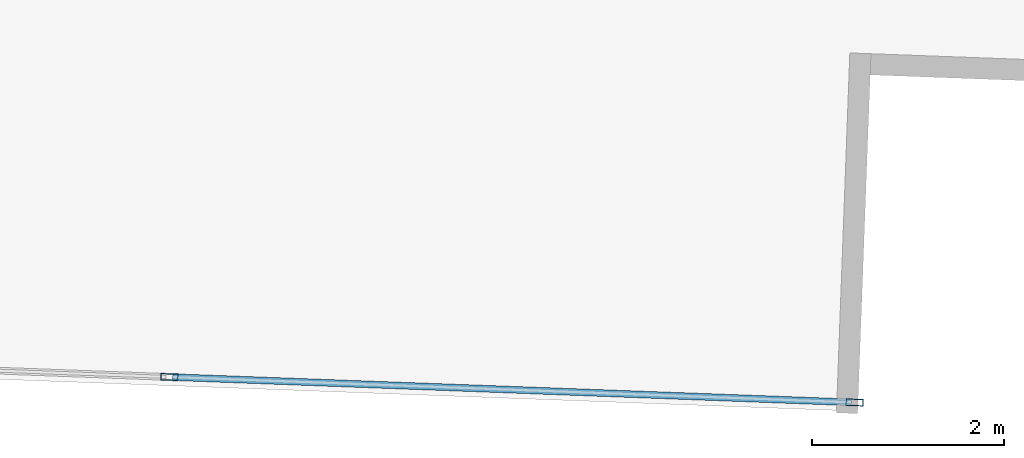
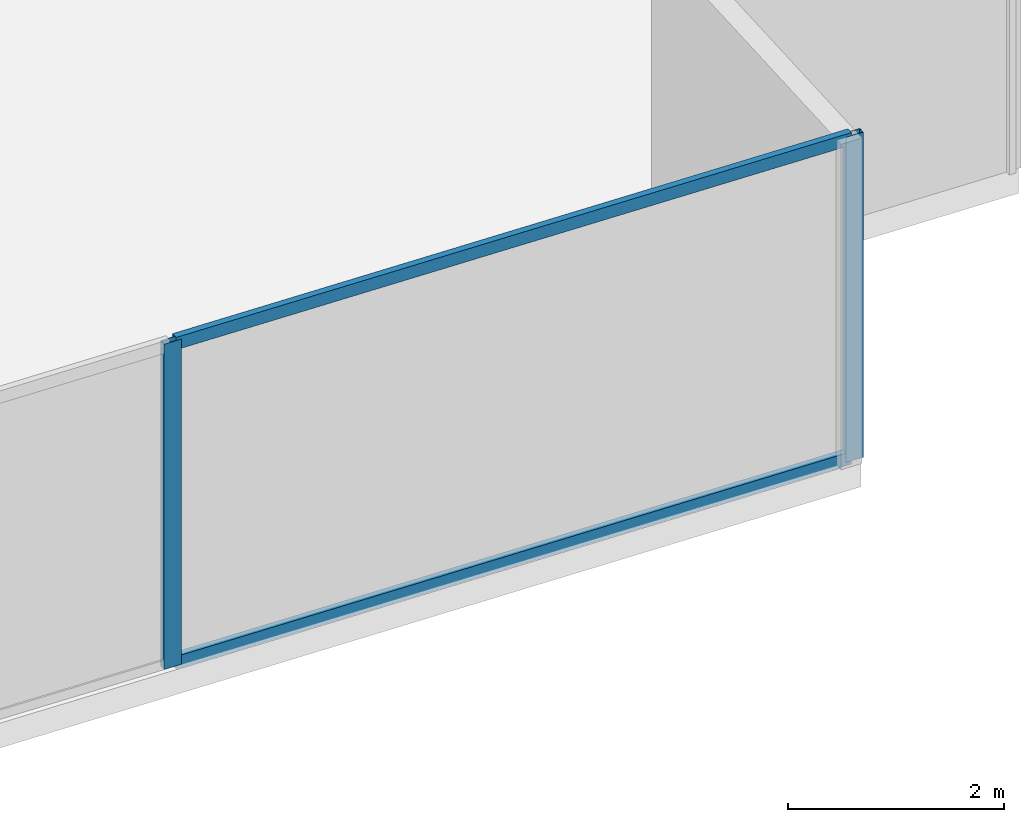
# One storey, part 12 of 30: 4 members, 1 element without a shape of its own.
"""IFC4 building model written with IfcOpenShell, lengths in metres."""

import ifcopenshell
import ifcopenshell.guid

model = None  # the IFC model being written
_history = None  # IfcOwnerHistory: only IFC2X3 demands one
_inside = {}  # id of a spatial element -> (the spatial element, [elements in it])
_under = {}  # id of a project, library or spatial element -> (it, [spatial elements below it])
_declared = {}  # id of a project -> (the project, [libraries it declares])
_typed = {}  # id of a type object -> (the type object, [elements of that type])
_made_of = {}  # id of a material, layer set ... -> (it, [elements and type objects made of it])


def new_model(schema):
    """Start an empty IFC model of exactly this schema.

    Asked for "IFC4X3", IfcOpenShell would pick the latest addendum, in which some entities
    have other attributes; the version numbers below select the first issue.
    IFC2X3 requires an IfcOwnerHistory on every rooted entity: one is made here for all.
    """
    global model, _history
    if schema == "IFC4X3":
        model = ifcopenshell.file(schema_version=(4, 3, 0, 0))
    else:
        model = ifcopenshell.file(schema=schema)
    _inside.clear()
    _under.clear()
    _declared.clear()
    _typed.clear()
    _made_of.clear()
    _history = None
    if model.schema == "IFC2X3":
        org = make("IfcOrganization", Name="unknown")
        user = make(
            "IfcPersonAndOrganization",
            ThePerson=make("IfcPerson", FamilyName="unknown"),
            TheOrganization=org,
        )
        app = make(
            "IfcApplication",
            ApplicationDeveloper=org,
            Version="unknown",
            ApplicationFullName="unknown",
            ApplicationIdentifier="unknown",
        )
        _history = make(
            "IfcOwnerHistory",
            OwningUser=user,
            OwningApplication=app,
            ChangeAction="ADDED",
            CreationDate=0,
        )
    return model


def make(cls, **values):
    """One entity of the class cls with the attributes given. An attribute that is None is left unset."""
    return model.create_entity(
        cls, **{name: value for name, value in values.items() if value is not None}
    )


def rooted(cls, **values):
    """An entity with a GlobalId (a new one), such as an element, a storey or a relation."""
    return make(cls, GlobalId=ifcopenshell.guid.new(), OwnerHistory=_history, **values)


def si_unit(unit_type, name, prefix=None):
    """IfcSIUnit, for example si_unit("LENGTHUNIT", "METRE", prefix="MILLI")."""
    return make("IfcSIUnit", UnitType=unit_type, Prefix=prefix, Name=name)


def assignment(units):
    """IfcUnitAssignment: the units of a project."""
    return None if units is None else make("IfcUnitAssignment", Units=units)


def point(xyz):
    """IfcCartesianPoint."""
    return None if xyz is None else make("IfcCartesianPoint", Coordinates=xyz)


def direction(xyz):
    """IfcDirection."""
    return None if xyz is None else make("IfcDirection", DirectionRatios=xyz)


def frame(location, z_axis=None, x_axis=None):
    """IfcAxis2Placement3D, a coordinate frame: its origin and axes. An axis left out is left unset."""
    return make(
        "IfcAxis2Placement3D",
        Location=point(location),
        Axis=direction(z_axis),
        RefDirection=direction(x_axis),
    )


def frame_2d(location, x_axis=None):
    """IfcAxis2Placement2D, a coordinate frame in the plane: its origin and x axis."""
    return make(
        "IfcAxis2Placement2D", Location=point(location), RefDirection=direction(x_axis)
    )


def origin():
    """The frame at (0, 0, 0) with its axes left unset."""
    return frame((0.0, 0.0, 0.0))


def origin_2d():
    """The frame at (0, 0) in the plane with its x axis left unset."""
    return frame_2d((0.0, 0.0))


def place(relative_to, where):
    """IfcLocalPlacement: puts the frame where relative to a parent placement (None: the world)."""
    return make(
        "IfcLocalPlacement", PlacementRelTo=relative_to, RelativePlacement=where
    )


def context(
    kind, dimensions, precision=None, world=None, true_north=None, identifier=None
):
    """IfcGeometricRepresentationContext, for example the 3D "Model" context."""
    return make(
        "IfcGeometricRepresentationContext",
        ContextIdentifier=identifier,
        ContextType=kind,
        CoordinateSpaceDimension=dimensions,
        Precision=precision,
        WorldCoordinateSystem=world,
        TrueNorth=true_north,
    )


def subcontext(parent, identifier, kind, view, scale=None):
    """IfcGeometricRepresentationSubContext, for example "Body" below "Model"."""
    return make(
        "IfcGeometricRepresentationSubContext",
        ContextIdentifier=identifier,
        ContextType=kind,
        ParentContext=parent,
        TargetScale=scale,
        TargetView=view,
    )


def project(units=None, contexts=None):
    """IfcProject with its units and contexts."""
    return rooted(
        "IfcProject",
        Name="project",
        RepresentationContexts=contexts,
        UnitsInContext=assignment(units),
    )


def spatial(cls, under=None, at=None, **own):
    """A site, building, storey or space (cls), placed at a placement, below another one or the project."""
    s = rooted(cls, ObjectPlacement=at, **own)
    if under is not None:
        _under.setdefault(under.id(), (under, []))[1].append(s)
    return s


def profile(cls, at=None, kind="AREA", **sizes):
    """A parametric profile (cls). Its sizes go by their IFC names, for example OverallWidth=200.0."""
    return make(cls, ProfileType=kind, Position=at, **sizes)


def hollow_rectangle(**sizes):
    """IfcRectangleHollowProfileDef."""
    return profile("IfcRectangleHollowProfileDef", **sizes)


def extrude(swept, where, along, depth):
    """IfcExtrudedAreaSolid: the profile swept, set in the frame where, extruded along a direction by depth."""
    return make(
        "IfcExtrudedAreaSolid",
        SweptArea=swept,
        Position=where,
        ExtrudedDirection=direction(along),
        Depth=depth,
    )


def shape(context_of_items, identifier, shape_type, items):
    """IfcShapeRepresentation: the items that make up one representation, for example the "Body"."""
    return make(
        "IfcShapeRepresentation",
        ContextOfItems=context_of_items,
        RepresentationIdentifier=identifier,
        RepresentationType=shape_type,
        Items=items,
    )


def source(mapping_origin, context_of_items, identifier, shape_type, items):
    """IfcRepresentationMap: a shape defined once, which mapped items show again and again."""
    return make(
        "IfcRepresentationMap",
        MappingOrigin=mapping_origin,
        MappedRepresentation=shape(context_of_items, identifier, shape_type, items),
    )


def transform(
    local_origin,
    x_axis=None,
    y_axis=None,
    z_axis=None,
    scale=None,
    scale2=None,
    scale3=None,
    uniform=True,
):
    """IfcCartesianTransformationOperator3D, or its non-uniform kind. x_axis, y_axis, z_axis: its Axis1, 2, 3."""
    if uniform:
        return make(
            "IfcCartesianTransformationOperator3D",
            Axis1=direction(x_axis),
            Axis2=direction(y_axis),
            LocalOrigin=point(local_origin),
            Scale=scale,
            Axis3=direction(z_axis),
        )
    return make(
        "IfcCartesianTransformationOperator3DnonUniform",
        Axis1=direction(x_axis),
        Axis2=direction(y_axis),
        LocalOrigin=point(local_origin),
        Scale=scale,
        Axis3=direction(z_axis),
        Scale2=scale2,
        Scale3=scale3,
    )


def mapped(mapping_source, mapping_target):
    """IfcMappedItem: shows the shape of a source again, moved by a transform."""
    return make(
        "IfcMappedItem", MappingSource=mapping_source, MappingTarget=mapping_target
    )


def material(Name=None, Category=None):
    """IfcMaterial."""
    return make("IfcMaterial", Name=Name, Category=Category)


def material_profile(
    of_material, cross_section, Name=None, Category=None, Priority=None
):
    """IfcMaterialProfile: a cross section and its material."""
    return make(
        "IfcMaterialProfile",
        Name=Name,
        Material=of_material,
        Profile=cross_section,
        Priority=Priority,
        Category=Category,
    )


def profile_set(profiles, Name=None, composite=None):
    """IfcMaterialProfileSet."""
    return make(
        "IfcMaterialProfileSet",
        Name=Name,
        MaterialProfiles=profiles,
        CompositeProfile=composite,
    )


def made_of(thing, what):
    """Note that an element or type object is made of a material, layer set ...; save() writes the relation."""
    if what is not None:
        _made_of.setdefault(what.id(), (what, []))[1].append(thing)
    return thing


def type_object(cls, material=None, **own):
    """A type object (cls), such as IfcWallType, which elements share."""
    return made_of(rooted(cls, **own), material)


def type_shapes(of_type, sources):
    """Give a type object the sources (RepresentationMaps) that its elements show as mapped items."""
    of_type.RepresentationMaps = sources


def element(
    cls,
    number,
    at=None,
    inside=None,
    cuts=None,
    type_object=None,
    material=None,
    context=None,
    identifier="Body",
    shape_type=None,
    held_by="IfcProductDefinitionShape",
    body=None,
    shapes=None,
    **own,
):
    """One element of the class cls, such as IfcWall. Its Tag is "e" and its number.

    at: its placement. inside: the storey or other place that contains it. cuts: it is an
    opening in that element (IfcRelVoidsElement). A single representation is given by context,
    identifier, shape_type and body (its items); several are given by shapes. held_by: the class
    of the entity that holds the representations. save() writes the other relations.
    """
    e = rooted(cls, Tag="e%d" % number, ObjectPlacement=at, **own)
    if body is not None:
        shapes = [shape(context, identifier, shape_type, body)]
    if shapes is not None:
        e.Representation = make(held_by, Representations=shapes)
    if inside is not None:
        _inside.setdefault(inside.id(), (inside, []))[1].append(e)
    if cuts is not None:
        rooted(
            "IfcRelVoidsElement", RelatingBuildingElement=cuts, RelatedOpeningElement=e
        )
    if type_object is not None:
        _typed.setdefault(type_object.id(), (type_object, []))[1].append(e)
    return made_of(e, material)


def aggregate(whole, parts):
    """IfcRelAggregates: a whole, such as a stair, and the parts it consists of."""
    return rooted("IfcRelAggregates", RelatingObject=whole, RelatedObjects=parts)


def save(model, path):
    """Write the relations noted so far, then the file.

    IfcRelAggregates (storeys below a building ...), IfcRelContainedInSpatialStructure (elements
    in a storey), IfcRelDefinesByType, IfcRelAssociatesMaterial and IfcRelDeclares: one each for
    every whole, place, type object, material and project.
    """
    for whole, parts in _under.values():
        aggregate(whole, parts)
    for where, things in _inside.values():
        rooted(
            "IfcRelContainedInSpatialStructure",
            RelatedElements=things,
            RelatingStructure=where,
        )
    for kind, things in _typed.values():
        rooted("IfcRelDefinesByType", RelatedObjects=things, RelatingType=kind)
    for what, things in _made_of.values():
        rooted("IfcRelAssociatesMaterial", RelatedObjects=things, RelatingMaterial=what)
    for by, libraries in _declared.values():
        rooted("IfcRelDeclares", RelatingContext=by, RelatedDefinitions=libraries)
    model.write(path)


model = new_model("IFC4")

# Units and contexts
model_context = context("Model", 3, precision=1e-05, world=origin(), true_north=direction((0.0, 1.0)))
body_context = subcontext(model_context, "Body", "Model", "MODEL_VIEW")
ifc_project = project(units=[si_unit("LENGTHUNIT", "METRE"), si_unit("AREAUNIT", "SQUARE_METRE"), si_unit("VOLUMEUNIT", "CUBIC_METRE"), si_unit("PLANEANGLEUNIT", "RADIAN"), si_unit("MASSUNIT", "GRAM", prefix="KILO")], contexts=[model_context])

# Site, building, storey
site_placement = place(None, origin())
site = spatial("IfcSite", under=ifc_project, at=site_placement, CompositionType="ELEMENT")
building_placement = place(site_placement, origin())
building = spatial("IfcBuilding", under=site, at=building_placement, Name="Krantzveldt Concourse Tower", CompositionType="ELEMENT")
storey_placement = place(building_placement, frame((0.0, 0.0, 36.85009765625)))
storey = spatial("IfcBuildingStorey", under=building, at=storey_placement, Name="L08", CompositionType="ELEMENT", Elevation=36.85009765625)

# Curtain wall, members
ifc_material = material(Name="Anodised aluminium 6063-T6", Category="aluminium")
curtain_wall_type = type_object("IfcCurtainWallType", Name="CW2", PredefinedType="USERDEFINED", material=ifc_material)
curtain_wall_placement = place(storey_placement, origin())
curtain_wall = element("IfcCurtainWall", 1, at=curtain_wall_placement, inside=storey, type_object=curtain_wall_type, Name="CW-L08-F04", ObjectType="UNITISED CURTAIN WALL", PredefinedType="USERDEFINED")
ifc_material_profile_1 = material_profile(ifc_material, hollow_rectangle(XDim=0.070068359375, YDim=0.179931640625, WallThickness=0.0048828125, at=origin_2d()), Name="Anodised aluminium 6063-T6", Category="aluminium")
ifc_profile_set_1 = profile_set([ifc_material_profile_1], Name="Anodised aluminium 6063-T6 - ALU-MULL 180x70x5")
member_type_1 = type_object("IfcMemberType", Name="CW-MUL-180", PredefinedType="MULLION", material=ifc_profile_set_1)
shared_shape_1 = source(origin(), body_context, "Body", "SweptSolid", [
    extrude(hollow_rectangle(XDim=0.070068359375, YDim=0.179931640625, WallThickness=0.0048828125, at=origin_2d()), origin(), (0.0, 0.0, 1.0), 3.669921875),
])
type_shapes(member_type_1, [shared_shape_1])
member_1_placement = place(storey_placement, frame((49.39990234375, 1.275634765625, 0.0), z_axis=(0.0, 0.0, 1.0), x_axis=(0.037079766834, 0.999312308986, 0.0)))
member_1 = element("IfcMember", 2, at=member_1_placement, type_object=member_type_1, Name="CW-Z12 mullion 6", PredefinedType="MULLION", context=body_context, shape_type="MappedRepresentation", body=[
    mapped(shared_shape_1, transform((0.0, 0.0, 0.0), x_axis=(1.0, 0.0, 0.0), y_axis=(0.0, 1.0, 0.0), z_axis=(0.0, 0.0, 1.0), scale=1.0)),
])
member_2_placement = place(storey_placement, frame((56.526611328125, 1.01123046875, 0.0), z_axis=(0.0, 0.0, 1.0), x_axis=(0.037079766834, 0.999312308986, 0.0)))
member_2 = element("IfcMember", 3, at=member_2_placement, type_object=member_type_1, Name="CW-Z12 mullion 7", PredefinedType="MULLION", context=body_context, shape_type="MappedRepresentation", body=[
    mapped(shared_shape_1, transform((0.0, 0.0, 0.0), x_axis=(1.0, 0.0, 0.0), y_axis=(0.0, 1.0, 0.0), z_axis=(0.0, 0.0, 1.0), scale=1.0)),
])
ifc_material_profile_2 = material_profile(ifc_material, hollow_rectangle(XDim=0.070068359375, YDim=0.139892578125, WallThickness=0.0048828125, at=origin_2d()), Name="Anodised aluminium 6063-T6", Category="aluminium")
ifc_profile_set_2 = profile_set([ifc_material_profile_2], Name="Anodised aluminium 6063-T6 - ALU-TRAN 140x70x5")
member_type_2 = type_object("IfcMemberType", Name="CW-TRN-150", PredefinedType="USERDEFINED", material=ifc_profile_set_2)
shared_shape_2 = source(origin(), body_context, "Body", "SweptSolid", [
    extrude(hollow_rectangle(XDim=0.070068359375, YDim=0.139892578125, WallThickness=0.0048828125, at=origin_2d()), origin(), (0.0, 0.0, 1.0), 7.061767578125),
])
type_shapes(member_type_2, [shared_shape_2])
member_3_placement = place(storey_placement, frame((49.434814453125, 1.2744140625, 0.034912109375), z_axis=(0.99931170449, -0.037096054624, 0.0), x_axis=(0.037096054624, 0.99931170449, 0.0)))
member_3 = element("IfcMember", 4, at=member_3_placement, type_object=member_type_2, Name="CW-Z12 transom 6.1", ObjectType="TRANSOM", PredefinedType="USERDEFINED", context=body_context, shape_type="MappedRepresentation", body=[
    mapped(shared_shape_2, transform((0.0, 0.0, 0.0), x_axis=(1.0, 0.0, 0.0), y_axis=(0.0, 1.0, 0.0), z_axis=(0.0, 0.0, 1.0), scale=1.0)),
])
member_4_placement = place(storey_placement, frame((49.434814453125, 1.2744140625, 3.635009765625), z_axis=(0.99931170449, -0.037096054624, 0.0), x_axis=(0.037096054624, 0.99931170449, 0.0)))
member_4 = element("IfcMember", 5, at=member_4_placement, type_object=member_type_2, Name="CW-Z12 transom 6.2", ObjectType="TRANSOM", PredefinedType="USERDEFINED", context=body_context, shape_type="MappedRepresentation", body=[
    mapped(shared_shape_2, transform((0.0, 0.0, 0.0), x_axis=(1.0, 0.0, 0.0), y_axis=(0.0, 1.0, 0.0), z_axis=(0.0, 0.0, 1.0), scale=1.0)),
])
aggregate(curtain_wall, [member_1, member_2, member_3, member_4])

save(model, "model.ifc")
